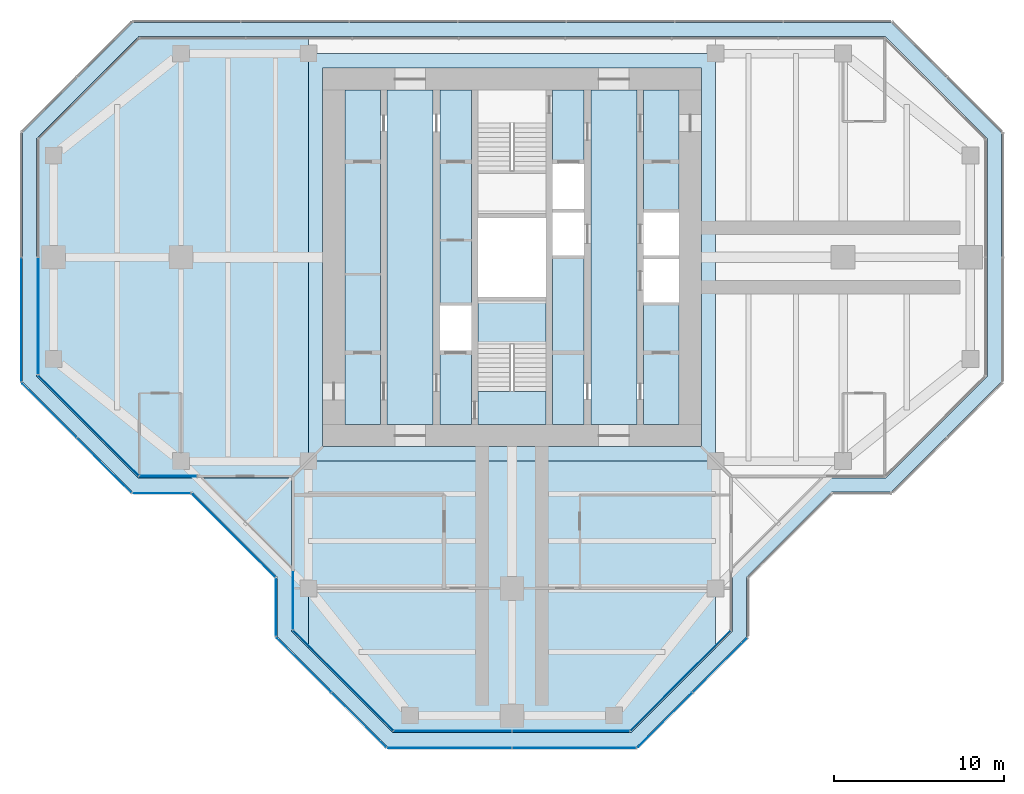
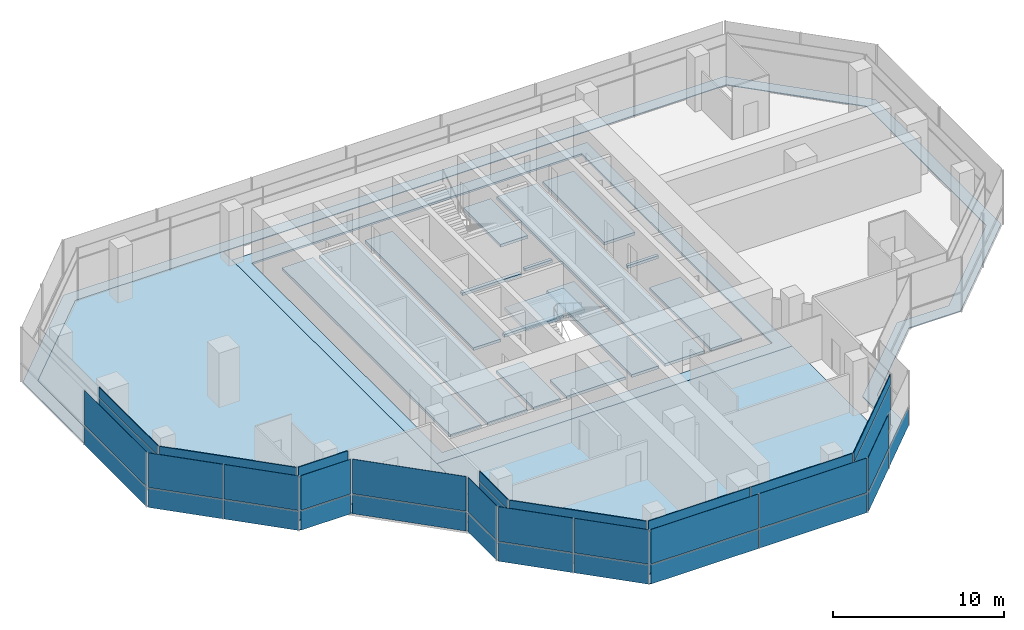
# One storey, part 9 of 15: 40 plates, 7 slabs, 16 elements without a shape of their own.
"""IFC4 building model written with IfcOpenShell, lengths in metres."""

from ifc_helpers import new_model, si_unit, direction, frame, origin, origin_2d, place, context, subcontext, project, spatial, polyline, rectangle, outline, extrude, material, layer, layer_set, type_object, element, aggregate, save


model = new_model("IFC4")

# Units and contexts
model_context = context("Model", 3, precision=1e-05, world=origin(), true_north=direction((0.0, 1.0)))
body_context = subcontext(model_context, "Body", "Model", "MODEL_VIEW")
ifc_project = project(units=[si_unit("LENGTHUNIT", "METRE"), si_unit("AREAUNIT", "SQUARE_METRE"), si_unit("VOLUMEUNIT", "CUBIC_METRE"), si_unit("PLANEANGLEUNIT", "RADIAN"), si_unit("MASSUNIT", "GRAM", prefix="KILO")], contexts=[model_context])

# Site, building, storey
site_placement = place(None, origin())
site = spatial("IfcSite", under=ifc_project, at=site_placement, CompositionType="ELEMENT")
building_placement = place(site_placement, origin())
building = spatial("IfcBuilding", under=site, at=building_placement, Name="Mizan Broadcast Tower", CompositionType="ELEMENT")
storey_placement = place(building_placement, frame((0.0, 0.0, 279.0)))
storey = spatial("IfcBuildingStorey", under=building, at=storey_placement, Name="L66", CompositionType="ELEMENT", Elevation=279.0)

# Plate
ifc_material_1 = material(Name="Aluminium grating", Category="aluminium")
ifc_layer_1 = layer(ifc_material_1, 0.050048828125)
ifc_layer_set_1 = layer_set([ifc_layer_1], Name="Aluminium grating")
plate_type_1 = type_object("IfcPlateType", Name="CAVITY GRATING", PredefinedType="USERDEFINED", material=ifc_layer_set_1)
plate_1_placement = place(storey_placement, frame((0.0, 0.0, -0.050048828125)))
element("IfcPlate", 1, at=plate_1_placement, inside=storey, type_object=plate_type_1, Name="Cavity grating L66", ObjectType="GRATING", PredefinedType="USERDEFINED", context=body_context, shape_type="SweptSolid", body=[
    extrude(outline(polyline([(-22.339599609375, 13.820068359375), (-28.820068359375, 7.339599609375), (-28.820068359375, -7.339599609375), (-22.339599609375, -13.820068359375), (-18.839599609375, -13.820068359375), (-13.820068359375, -18.839599609375), (-13.820068359375, -22.339599609375), (-7.339599609375, -28.820068359375), (7.339599609375, -28.820068359375), (13.820068359375, -22.339599609375), (13.820068359375, -18.839599609375), (18.839599609375, -13.820068359375), (22.339599609375, -13.820068359375), (28.820068359375, -7.339599609375), (28.820068359375, 7.339599609375), (22.339599609375, 13.820068359375), (-22.339599609375, 13.820068359375)]), holes=[polyline([(-18.5, -13.0), (-22.0, -13.0), (-28.0, -7.0), (-28.0, 7.0), (-22.0, 13.0), (22.0, 13.0), (28.0, 7.0), (28.0, -7.0), (22.0, -13.0), (18.5, -13.0), (13.0, -18.5), (13.0, -22.0), (7.0, -28.0), (-7.0, -28.0), (-13.0, -22.0), (-13.0, -18.5), (-18.5, -13.0)])]), origin(), (0.0, 0.0, 1.0), 0.050048828125),
])

# Slabs
ifc_material_2 = material(Name="Concrete C32/40", Category="concrete")
ifc_layer_2 = layer(ifc_material_2, 0.1298828125)
ifc_layer_set_2 = layer_set([ifc_layer_2], Name="Concrete C32/40")
slab_type_1 = type_object("IfcSlabType", Name="COMPOSITE DECK SLAB 130", PredefinedType="FLOOR", material=ifc_layer_set_2)
slab_1_placement = place(storey_placement, frame((0.0, 0.0, -0.1298828125)))
element("IfcSlab", 2, at=slab_1_placement, inside=storey, type_object=slab_type_1, Name="Floor slab L66 centre", PredefinedType="FLOOR", context=body_context, shape_type="SweptSolid", body=[
    extrude(outline(polyline([(-12.0, -12.0), (12.0, -12.0), (12.0, 12.0), (-12.0, 12.0), (-12.0, -12.0)]), holes=[polyline([(-11.14990234375, 11.14990234375), (11.14990234375, 11.14990234375), (11.14990234375, -11.14990234375), (-11.14990234375, -11.14990234375), (-11.14990234375, 11.14990234375)])]), origin(), (0.0, 0.0, 1.0), 0.1298828125),
])
slab_2_placement = place(storey_placement, frame((0.0, 0.0, -0.1298828125)))
element("IfcSlab", 3, at=slab_2_placement, inside=storey, type_object=slab_type_1, Name="Floor slab L66 west arm", PredefinedType="FLOOR", context=body_context, shape_type="SweptSolid", body=[
    extrude(outline(polyline([(-13.0, -22.0), (-12.0, -23.0), (-12.0, 13.0), (-13.0, 13.0), (-22.0, 13.0), (-28.0, 7.0), (-28.0, -7.0), (-22.0, -13.0), (-13.0, -13.0), (-13.0, -22.0)])), origin(), (0.0, 0.0, 1.0), 0.1298828125),
])
slab_3_placement = place(storey_placement, frame((0.0, 0.0, -0.1298828125)))
element("IfcSlab", 4, at=slab_3_placement, inside=storey, type_object=slab_type_1, Name="Floor slab L66 south arm", PredefinedType="FLOOR", context=body_context, shape_type="SweptSolid", body=[
    extrude(outline(polyline([(7.0, -28.0), (12.0, -23.0), (12.0, -12.0), (-12.0, -12.0), (-12.0, -23.0), (-7.0, -28.0), (7.0, -28.0)])), origin(), (0.0, 0.0, 1.0), 0.1298828125),
])
ifc_material_3 = material(Name="Concrete C40/50", Category="concrete")
ifc_layer_3 = layer(ifc_material_3, 0.199951171875)
ifc_layer_set_3 = layer_set([ifc_layer_3], Name="Concrete C40/50")
slab_type_2 = type_object("IfcSlabType", Name="CORE FLOOR 200", PredefinedType="FLOOR", material=ifc_layer_set_3)
slab_4_placement = place(storey_placement, frame((0.0, 0.0, -0.199951171875)))
element("IfcSlab", 5, at=slab_4_placement, inside=storey, type_object=slab_type_2, Name="Core floor L66", PredefinedType="FLOOR", context=body_context, shape_type="SweptSolid", body=[
    extrude(outline(polyline([(-9.85009765625, -9.85009765625), (-7.75, -9.85009765625), (-7.75, 9.85009765625), (-9.85009765625, 9.85009765625), (-9.85009765625, -9.85009765625)])), origin(), (0.0, 0.0, 1.0), 0.199951171875),
    extrude(outline(polyline([(-4.64990234375, 9.85009765625), (-7.35009765625, 9.85009765625), (-7.35009765625, -9.85009765625), (-4.64990234375, -9.85009765625), (-4.64990234375, 9.85009765625)])), origin(), (0.0, 0.0, 1.0), 0.199951171875),
    extrude(outline(polyline([(-4.25, -5.5), (-4.25, -9.85009765625), (-2.39990234375, -9.85009765625), (-2.39990234375, -5.5), (-4.25, -5.5)])), origin(), (0.0, 0.0, 1.0), 0.199951171875),
    extrude(outline(polyline([(-4.25, -2.85009765625), (-2.39990234375, -2.85009765625), (-2.39990234375, 9.85009765625), (-4.25, 9.85009765625), (-4.25, -2.85009765625)])), origin(), (0.0, 0.0, 1.0), 0.199951171875),
    extrude(outline(polyline([(2.0, -2.324951171875), (-2.0, -2.324951171875), (-2.0, -2.574951171875), (2.0, -2.574951171875), (2.0, -2.324951171875)])), origin(), (0.0, 0.0, 1.0), 0.199951171875),
    extrude(outline(polyline([(2.0, 2.574951171875), (-2.0, 2.574951171875), (-2.0, 2.324951171875), (2.0, 2.324951171875), (2.0, 2.574951171875)])), origin(), (0.0, 0.0, 1.0), 0.199951171875),
    extrude(outline(polyline([(4.25, -9.85009765625), (4.25, 0.10009765625), (2.39990234375, 0.10009765625), (2.39990234375, -9.85009765625), (4.25, -9.85009765625)])), origin(), (0.0, 0.0, 1.0), 0.199951171875),
    extrude(outline(polyline([(4.25, 2.64990234375), (4.25, 2.85009765625), (2.39990234375, 2.85009765625), (2.39990234375, 2.64990234375), (4.25, 2.64990234375)])), origin(), (0.0, 0.0, 1.0), 0.199951171875),
    extrude(outline(polyline([(4.25, 5.5), (4.25, 9.85009765625), (2.39990234375, 9.85009765625), (2.39990234375, 5.5), (4.25, 5.5)])), origin(), (0.0, 0.0, 1.0), 0.199951171875),
    extrude(outline(polyline([(4.64990234375, 9.85009765625), (4.64990234375, -9.85009765625), (7.35009765625, -9.85009765625), (7.35009765625, 9.85009765625), (4.64990234375, 9.85009765625)])), origin(), (0.0, 0.0, 1.0), 0.199951171875),
    extrude(outline(polyline([(9.85009765625, -9.85009765625), (9.85009765625, -2.64990234375), (7.75, -2.64990234375), (7.75, -9.85009765625), (9.85009765625, -9.85009765625)])), origin(), (0.0, 0.0, 1.0), 0.199951171875),
    extrude(outline(polyline([(9.85009765625, -0.10009765625), (9.85009765625, 0.10009765625), (7.75, 0.10009765625), (7.75, -0.10009765625), (9.85009765625, -0.10009765625)])), origin(), (0.0, 0.0, 1.0), 0.199951171875),
    extrude(outline(polyline([(7.75, 9.85009765625), (7.75, 2.64990234375), (9.85009765625, 2.64990234375), (9.85009765625, 9.85009765625), (7.75, 9.85009765625)])), origin(), (0.0, 0.0, 1.0), 0.199951171875),
])

# Curtain wall, plate
ifc_material_4 = material(Name="Aluminium framed glazing", Category="aluminium")
curtain_wall_type_1 = type_object("IfcCurtainWallType", Name="INNER SKIN TOP ZONE", PredefinedType="USERDEFINED", material=ifc_material_4)
curtain_wall_1_placement = place(storey_placement, origin())
curtain_wall_1 = element("IfcCurtainWall", 6, at=curtain_wall_1_placement, inside=storey, type_object=curtain_wall_type_1, Name="Inner skin top zone L66 W end", ObjectType="INNER SKIN TOP ZONE", PredefinedType="USERDEFINED")
ifc_material_5 = material(Name="Double glazing, clear low-e", Category="glass")
ifc_layer_4 = layer(ifc_material_5, 0.028076171875)
ifc_layer_set_4 = layer_set([ifc_layer_4], Name="Double glazing, clear low-e")
plate_type_2 = type_object("IfcPlateType", Name="INNER SKIN GLAZING UNIT", PredefinedType="CURTAIN_PANEL", material=ifc_layer_set_4)
plate_2_placement = place(storey_placement, frame((-27.89990234375, -3.46435546875, 0.0), z_axis=(0.0, 0.0, 1.0), x_axis=(0.0, -1.0, 0.0)))
plate_2 = element("IfcPlate", 7, at=plate_2_placement, type_object=plate_type_2, Name="Inner skin top zone L66 W end panel 2.1", PredefinedType="CURTAIN_PANEL", context=body_context, shape_type="SweptSolid", body=[
    extrude(rectangle(XDim=6.86865234375, YDim=0.028076171875, at=origin_2d()), origin(), (0.0, 0.0, 1.0), 3.0),
])

curtain_wall_2_placement = place(storey_placement, origin())
curtain_wall_2 = element("IfcCurtainWall", 8, at=curtain_wall_2_placement, inside=storey, type_object=curtain_wall_type_1, Name="Inner skin top zone L66 W chamfer", ObjectType="INNER SKIN TOP ZONE", PredefinedType="USERDEFINED")
plate_3_placement = place(storey_placement, frame((-24.92919921875, -9.92919921875, 0.0), z_axis=(0.0, 0.0, 1.0), x_axis=(0.707106781187, -0.707106781187, 0.0)))
plate_3 = element("IfcPlate", 9, at=plate_3_placement, type_object=plate_type_2, Name="Inner skin top zone L66 W chamfer panel 1.1", PredefinedType="CURTAIN_PANEL", context=body_context, shape_type="SweptSolid", body=[
    extrude(rectangle(XDim=8.282470703125, YDim=0.028076171875, at=origin_2d()), origin(), (0.0, 0.0, 1.0), 3.0),
])

curtain_wall_3_placement = place(storey_placement, origin())
curtain_wall_3 = element("IfcCurtainWall", 10, at=curtain_wall_3_placement, inside=storey, type_object=curtain_wall_type_1, Name="Inner skin top zone L66 W side", ObjectType="INNER SKIN TOP ZONE", PredefinedType="USERDEFINED")
plate_4_placement = place(storey_placement, frame((-20.229248046875, -12.89990234375, 0.0), z_axis=(0.0, 0.0, 1.0), x_axis=(1.0, 0.0, 0.0)))
plate_4 = element("IfcPlate", 11, at=plate_4_placement, type_object=plate_type_2, Name="Inner skin top zone L66 W side panel 1.1", PredefinedType="CURTAIN_PANEL", context=body_context, shape_type="SweptSolid", body=[
    extrude(rectangle(XDim=3.338623046875, YDim=0.028076171875, at=origin_2d()), origin(), (0.0, 0.0, 1.0), 3.0),
])

curtain_wall_4_placement = place(storey_placement, origin())
curtain_wall_4 = element("IfcCurtainWall", 12, at=curtain_wall_4_placement, inside=storey, type_object=curtain_wall_type_1, Name="Inner skin top zone L66 S side", ObjectType="INNER SKIN TOP ZONE", PredefinedType="USERDEFINED")
plate_5_placement = place(storey_placement, frame((-12.89990234375, -20.229248046875, 0.0), z_axis=(0.0, 0.0, 1.0), x_axis=(0.0, -1.0, 0.0)))
plate_5 = element("IfcPlate", 13, at=plate_5_placement, type_object=plate_type_2, Name="Inner skin top zone L66 S side panel 1.1", PredefinedType="CURTAIN_PANEL", context=body_context, shape_type="SweptSolid", body=[
    extrude(rectangle(XDim=3.338623046875, YDim=0.028076171875, at=origin_2d()), origin(), (0.0, 0.0, 1.0), 3.0),
])

curtain_wall_5_placement = place(storey_placement, origin())
curtain_wall_5 = element("IfcCurtainWall", 14, at=curtain_wall_5_placement, inside=storey, type_object=curtain_wall_type_1, Name="Inner skin top zone L66 S chamfer", ObjectType="INNER SKIN TOP ZONE", PredefinedType="USERDEFINED")
plate_6_placement = place(storey_placement, frame((-9.92919921875, -24.92919921875, 0.0), z_axis=(0.0, 0.0, 1.0), x_axis=(0.707106781187, -0.707106781187, 0.0)))
plate_6 = element("IfcPlate", 15, at=plate_6_placement, type_object=plate_type_2, Name="Inner skin top zone L66 S chamfer panel 1.1", PredefinedType="CURTAIN_PANEL", context=body_context, shape_type="SweptSolid", body=[
    extrude(rectangle(XDim=8.282470703125, YDim=0.028076171875, at=origin_2d()), origin(), (0.0, 0.0, 1.0), 3.0),
])

# Curtain wall, plates
curtain_wall_6_placement = place(storey_placement, origin())
curtain_wall_6 = element("IfcCurtainWall", 16, at=curtain_wall_6_placement, inside=storey, type_object=curtain_wall_type_1, Name="Inner skin top zone L66 S end", ObjectType="INNER SKIN TOP ZONE", PredefinedType="USERDEFINED")
plate_7_placement = place(storey_placement, frame((-3.46435546875, -27.89990234375, 0.0), z_axis=(0.0, 0.0, 1.0), x_axis=(1.0, 0.0, 0.0)))
plate_7 = element("IfcPlate", 17, at=plate_7_placement, type_object=plate_type_2, Name="Inner skin top zone L66 S end panel 1.1", PredefinedType="CURTAIN_PANEL", context=body_context, shape_type="SweptSolid", body=[
    extrude(rectangle(XDim=6.86865234375, YDim=0.028076171875, at=origin_2d()), origin(), (0.0, 0.0, 1.0), 3.0),
])
plate_8_placement = place(storey_placement, frame((3.46435546875, -27.89990234375, 0.0), z_axis=(0.0, 0.0, 1.0), x_axis=(1.0, 0.0, 0.0)))
plate_8 = element("IfcPlate", 18, at=plate_8_placement, type_object=plate_type_2, Name="Inner skin top zone L66 S end panel 2.1", PredefinedType="CURTAIN_PANEL", context=body_context, shape_type="SweptSolid", body=[
    extrude(rectangle(XDim=6.86865234375, YDim=0.028076171875, at=origin_2d()), origin(), (0.0, 0.0, 1.0), 3.0),
])

# Curtain wall, plate
curtain_wall_7_placement = place(storey_placement, origin())
curtain_wall_7 = element("IfcCurtainWall", 19, at=curtain_wall_7_placement, inside=storey, type_object=curtain_wall_type_1, Name="Inner skin top zone L66 S chamfer", ObjectType="INNER SKIN TOP ZONE", PredefinedType="USERDEFINED")
plate_9_placement = place(storey_placement, frame((9.92919921875, -24.92919921875, 0.0), z_axis=(0.0, 0.0, 1.0), x_axis=(0.707106781187, 0.707106781187, 0.0)))
plate_9 = element("IfcPlate", 20, at=plate_9_placement, type_object=plate_type_2, Name="Inner skin top zone L66 S chamfer panel 1.1", PredefinedType="CURTAIN_PANEL", context=body_context, shape_type="SweptSolid", body=[
    extrude(rectangle(XDim=8.282470703125, YDim=0.028076171875, at=origin_2d()), origin(), (0.0, 0.0, 1.0), 3.0),
])

# Plate
ifc_material_6 = material(Name="Insulated aluminium spandrel panel, pale anodised", Category="aluminium")
ifc_layer_5 = layer(ifc_material_6, 0.050048828125)
ifc_layer_set_5 = layer_set([ifc_layer_5], Name="Insulated aluminium spandrel panel, pale anodised")
plate_type_3 = type_object("IfcPlateType", Name="INNER SKIN SPANDREL PANEL", PredefinedType="CURTAIN_PANEL", material=ifc_layer_set_5)
plate_10_placement = place(storey_placement, frame((-27.89990234375, -3.46435546875, 3.06005859375), z_axis=(0.0, 0.0, 1.0), x_axis=(0.0, -1.0, 0.0)))
plate_10 = element("IfcPlate", 21, at=plate_10_placement, type_object=plate_type_3, Name="Inner skin top zone L66 W end panel 2.2", PredefinedType="CURTAIN_PANEL", context=body_context, shape_type="SweptSolid", body=[
    extrude(rectangle(XDim=6.86865234375, YDim=0.050048828125, at=origin_2d()), origin(), (0.0, 0.0, 1.0), 0.7099609375),
])

aggregate(curtain_wall_1, [plate_2, plate_10])

plate_11_placement = place(storey_placement, frame((-24.92919921875, -9.92919921875, 3.06005859375), z_axis=(0.0, 0.0, 1.0), x_axis=(0.707106781187, -0.707106781187, 0.0)))
plate_11 = element("IfcPlate", 22, at=plate_11_placement, type_object=plate_type_3, Name="Inner skin top zone L66 W chamfer panel 1.2", PredefinedType="CURTAIN_PANEL", context=body_context, shape_type="SweptSolid", body=[
    extrude(rectangle(XDim=8.282470703125, YDim=0.050048828125, at=origin_2d()), origin(), (0.0, 0.0, 1.0), 0.7099609375),
])

aggregate(curtain_wall_2, [plate_3, plate_11])

plate_12_placement = place(storey_placement, frame((-20.229248046875, -12.89990234375, 3.06005859375), z_axis=(0.0, 0.0, 1.0), x_axis=(1.0, 0.0, 0.0)))
plate_12 = element("IfcPlate", 23, at=plate_12_placement, type_object=plate_type_3, Name="Inner skin top zone L66 W side panel 1.2", PredefinedType="CURTAIN_PANEL", context=body_context, shape_type="SweptSolid", body=[
    extrude(rectangle(XDim=3.338623046875, YDim=0.050048828125, at=origin_2d()), origin(), (0.0, 0.0, 1.0), 0.7099609375),
])

aggregate(curtain_wall_3, [plate_4, plate_12])

plate_13_placement = place(storey_placement, frame((-12.89990234375, -20.229248046875, 3.06005859375), z_axis=(0.0, 0.0, 1.0), x_axis=(0.0, -1.0, 0.0)))
plate_13 = element("IfcPlate", 24, at=plate_13_placement, type_object=plate_type_3, Name="Inner skin top zone L66 S side panel 1.2", PredefinedType="CURTAIN_PANEL", context=body_context, shape_type="SweptSolid", body=[
    extrude(rectangle(XDim=3.338623046875, YDim=0.050048828125, at=origin_2d()), origin(), (0.0, 0.0, 1.0), 0.7099609375),
])

aggregate(curtain_wall_4, [plate_5, plate_13])

plate_14_placement = place(storey_placement, frame((-9.92919921875, -24.92919921875, 3.06005859375), z_axis=(0.0, 0.0, 1.0), x_axis=(0.707106781187, -0.707106781187, 0.0)))
plate_14 = element("IfcPlate", 25, at=plate_14_placement, type_object=plate_type_3, Name="Inner skin top zone L66 S chamfer panel 1.2", PredefinedType="CURTAIN_PANEL", context=body_context, shape_type="SweptSolid", body=[
    extrude(rectangle(XDim=8.282470703125, YDim=0.050048828125, at=origin_2d()), origin(), (0.0, 0.0, 1.0), 0.7099609375),
])

aggregate(curtain_wall_5, [plate_6, plate_14])

plate_15_placement = place(storey_placement, frame((-3.46435546875, -27.89990234375, 3.06005859375), z_axis=(0.0, 0.0, 1.0), x_axis=(1.0, 0.0, 0.0)))
plate_15 = element("IfcPlate", 26, at=plate_15_placement, type_object=plate_type_3, Name="Inner skin top zone L66 S end panel 1.2", PredefinedType="CURTAIN_PANEL", context=body_context, shape_type="SweptSolid", body=[
    extrude(rectangle(XDim=6.86865234375, YDim=0.050048828125, at=origin_2d()), origin(), (0.0, 0.0, 1.0), 0.7099609375),
])

plate_16_placement = place(storey_placement, frame((3.46435546875, -27.89990234375, 3.06005859375), z_axis=(0.0, 0.0, 1.0), x_axis=(1.0, 0.0, 0.0)))
plate_16 = element("IfcPlate", 27, at=plate_16_placement, type_object=plate_type_3, Name="Inner skin top zone L66 S end panel 2.2", PredefinedType="CURTAIN_PANEL", context=body_context, shape_type="SweptSolid", body=[
    extrude(rectangle(XDim=6.86865234375, YDim=0.050048828125, at=origin_2d()), origin(), (0.0, 0.0, 1.0), 0.7099609375),
])

aggregate(curtain_wall_6, [plate_7, plate_15, plate_8, plate_16])

plate_17_placement = place(storey_placement, frame((9.92919921875, -24.92919921875, 3.06005859375), z_axis=(0.0, 0.0, 1.0), x_axis=(0.707106781187, 0.707106781187, 0.0)))
plate_17 = element("IfcPlate", 28, at=plate_17_placement, type_object=plate_type_3, Name="Inner skin top zone L66 S chamfer panel 1.2", PredefinedType="CURTAIN_PANEL", context=body_context, shape_type="SweptSolid", body=[
    extrude(rectangle(XDim=8.282470703125, YDim=0.050048828125, at=origin_2d()), origin(), (0.0, 0.0, 1.0), 0.7099609375),
])

aggregate(curtain_wall_7, [plate_9, plate_17])

# Curtain wall, plates
ifc_material_7 = material(Name="Aluminium framed glazing", Category="aluminium")
curtain_wall_type_2 = type_object("IfcCurtainWallType", Name="OUTER SKIN", PredefinedType="USERDEFINED", material=ifc_material_7)
curtain_wall_8_placement = place(storey_placement, origin())
curtain_wall_8 = element("IfcCurtainWall", 29, at=curtain_wall_8_placement, inside=storey, type_object=curtain_wall_type_2, Name="Outer skin L66 W chamfer", ObjectType="OUTER SKIN", PredefinedType="USERDEFINED")
ifc_material_8 = material(Name="Laminated clear glass", Category="glass")
ifc_layer_6 = layer(ifc_material_8, 0.02001953125)
ifc_layer_set_6 = layer_set([ifc_layer_6], Name="Laminated clear glass")
plate_type_4 = type_object("IfcPlateType", Name="OUTER SKIN CLEAR GLASS", PredefinedType="CURTAIN_PANEL", material=ifc_layer_set_6)
plate_18_placement = place(storey_placement, frame((-27.254150390625, -9.018798828125, 0.0), z_axis=(0.0, 0.0, 1.0), x_axis=(0.707106781187, -0.707106781187, 0.0)))
plate_18 = element("IfcPlate", 30, at=plate_18_placement, type_object=plate_type_4, Name="Outer skin L66 W chamfer panel 1.1", PredefinedType="CURTAIN_PANEL", context=body_context, shape_type="SweptSolid", body=[
    extrude(rectangle(XDim=4.495361328125, YDim=0.02001953125, at=origin_2d()), origin(), (0.0, 0.0, 1.0), 1.3701171875),
])
plate_19_placement = place(storey_placement, frame((-27.254150390625, -9.018798828125, 1.43017578125), z_axis=(0.0, 0.0, 1.0), x_axis=(0.707106781187, -0.707106781187, 0.0)))
plate_19 = element("IfcPlate", 31, at=plate_19_placement, type_object=plate_type_4, Name="Outer skin L66 W chamfer panel 1.2", PredefinedType="CURTAIN_PANEL", context=body_context, shape_type="SweptSolid", body=[
    extrude(rectangle(XDim=4.495361328125, YDim=0.02001953125, at=origin_2d()), origin(), (0.0, 0.0, 1.0), 2.469970703125),
])

curtain_wall_9_placement = place(storey_placement, origin())
curtain_wall_9 = element("IfcCurtainWall", 32, at=curtain_wall_9_placement, inside=storey, type_object=curtain_wall_type_2, Name="Outer skin L66 W side", ObjectType="OUTER SKIN", PredefinedType="USERDEFINED")
plate_20_placement = place(storey_placement, frame((-20.622802734375, -13.89990234375, 0.0), z_axis=(0.0, 0.0, 1.0), x_axis=(1.0, 0.0, 0.0)))
plate_20 = element("IfcPlate", 33, at=plate_20_placement, type_object=plate_type_4, Name="Outer skin L66 W side panel 1.1", PredefinedType="CURTAIN_PANEL", context=body_context, shape_type="SweptSolid", body=[
    extrude(rectangle(XDim=3.340087890625, YDim=0.02001953125, at=origin_2d()), origin(), (0.0, 0.0, 1.0), 1.3701171875),
])
plate_21_placement = place(storey_placement, frame((-20.622802734375, -13.89990234375, 1.43017578125), z_axis=(0.0, 0.0, 1.0), x_axis=(1.0, 0.0, 0.0)))
plate_21 = element("IfcPlate", 34, at=plate_21_placement, type_object=plate_type_4, Name="Outer skin L66 W side panel 1.2", PredefinedType="CURTAIN_PANEL", context=body_context, shape_type="SweptSolid", body=[
    extrude(rectangle(XDim=3.340087890625, YDim=0.02001953125, at=origin_2d()), origin(), (0.0, 0.0, 1.0), 2.469970703125),
])
aggregate(curtain_wall_9, [plate_20, plate_21])

curtain_wall_10_placement = place(storey_placement, origin())
curtain_wall_10 = element("IfcCurtainWall", 35, at=curtain_wall_10_placement, inside=storey, type_object=curtain_wall_type_2, Name="Outer skin L66 W chamfer", ObjectType="OUTER SKIN", PredefinedType="USERDEFINED")
plate_22_placement = place(storey_placement, frame((-16.386474609375, -16.386474609375, 0.0), z_axis=(0.0, 0.0, 1.0), x_axis=(0.707106781187, -0.707106781187, 0.0)))
plate_22 = element("IfcPlate", 36, at=plate_22_placement, type_object=plate_type_4, Name="Outer skin L66 W chamfer panel 1.1", PredefinedType="CURTAIN_PANEL", context=body_context, shape_type="SweptSolid", body=[
    extrude(rectangle(XDim=6.87255859375, YDim=0.02001953125, at=origin_2d()), origin(), (0.0, 0.0, 1.0), 1.3701171875),
])
plate_23_placement = place(storey_placement, frame((-16.386474609375, -16.386474609375, 1.43017578125), z_axis=(0.0, 0.0, 1.0), x_axis=(0.707106781187, -0.707106781187, 0.0)))
plate_23 = element("IfcPlate", 37, at=plate_23_placement, type_object=plate_type_4, Name="Outer skin L66 W chamfer panel 1.2", PredefinedType="CURTAIN_PANEL", context=body_context, shape_type="SweptSolid", body=[
    extrude(rectangle(XDim=6.87255859375, YDim=0.02001953125, at=origin_2d()), origin(), (0.0, 0.0, 1.0), 2.469970703125),
])
aggregate(curtain_wall_10, [plate_22, plate_23])

curtain_wall_11_placement = place(storey_placement, origin())
curtain_wall_11 = element("IfcCurtainWall", 38, at=curtain_wall_11_placement, inside=storey, type_object=curtain_wall_type_2, Name="Outer skin L66 S side", ObjectType="OUTER SKIN", PredefinedType="USERDEFINED")
plate_24_placement = place(storey_placement, frame((-13.89990234375, -20.622802734375, 0.0), z_axis=(0.0, 0.0, 1.0), x_axis=(0.0, -1.0, 0.0)))
plate_24 = element("IfcPlate", 39, at=plate_24_placement, type_object=plate_type_4, Name="Outer skin L66 S side panel 1.1", PredefinedType="CURTAIN_PANEL", context=body_context, shape_type="SweptSolid", body=[
    extrude(rectangle(XDim=3.340087890625, YDim=0.02001953125, at=origin_2d()), origin(), (0.0, 0.0, 1.0), 1.3701171875),
])
plate_25_placement = place(storey_placement, frame((-13.89990234375, -20.622802734375, 1.43017578125), z_axis=(0.0, 0.0, 1.0), x_axis=(0.0, -1.0, 0.0)))
plate_25 = element("IfcPlate", 40, at=plate_25_placement, type_object=plate_type_4, Name="Outer skin L66 S side panel 1.2", PredefinedType="CURTAIN_PANEL", context=body_context, shape_type="SweptSolid", body=[
    extrude(rectangle(XDim=3.340087890625, YDim=0.02001953125, at=origin_2d()), origin(), (0.0, 0.0, 1.0), 2.469970703125),
])
aggregate(curtain_wall_11, [plate_24, plate_25])

curtain_wall_12_placement = place(storey_placement, origin())
curtain_wall_12 = element("IfcCurtainWall", 41, at=curtain_wall_12_placement, inside=storey, type_object=curtain_wall_type_2, Name="Outer skin L66 S chamfer", ObjectType="OUTER SKIN", PredefinedType="USERDEFINED")
plate_26_placement = place(storey_placement, frame((-12.254150390625, -24.018798828125, 0.0), z_axis=(0.0, 0.0, 1.0), x_axis=(0.707106781187, -0.707106781187, 0.0)))
plate_26 = element("IfcPlate", 42, at=plate_26_placement, type_object=plate_type_4, Name="Outer skin L66 S chamfer panel 1.1", PredefinedType="CURTAIN_PANEL", context=body_context, shape_type="SweptSolid", body=[
    extrude(rectangle(XDim=4.495361328125, YDim=0.02001953125, at=origin_2d()), origin(), (0.0, 0.0, 1.0), 1.3701171875),
])
plate_27_placement = place(storey_placement, frame((-12.254150390625, -24.018798828125, 1.43017578125), z_axis=(0.0, 0.0, 1.0), x_axis=(0.707106781187, -0.707106781187, 0.0)))
plate_27 = element("IfcPlate", 43, at=plate_27_placement, type_object=plate_type_4, Name="Outer skin L66 S chamfer panel 1.2", PredefinedType="CURTAIN_PANEL", context=body_context, shape_type="SweptSolid", body=[
    extrude(rectangle(XDim=4.495361328125, YDim=0.02001953125, at=origin_2d()), origin(), (0.0, 0.0, 1.0), 2.469970703125),
])

curtain_wall_13_placement = place(storey_placement, origin())
curtain_wall_13 = element("IfcCurtainWall", 44, at=curtain_wall_13_placement, inside=storey, type_object=curtain_wall_type_2, Name="Outer skin L66 S end", ObjectType="OUTER SKIN", PredefinedType="USERDEFINED")
plate_28_placement = place(storey_placement, frame((-3.66650390625, -28.89990234375, 0.0), z_axis=(0.0, 0.0, 1.0), x_axis=(1.0, 0.0, 0.0)))
plate_28 = element("IfcPlate", 45, at=plate_28_placement, type_object=plate_type_4, Name="Outer skin L66 S end panel 1.1", PredefinedType="CURTAIN_PANEL", context=body_context, shape_type="SweptSolid", body=[
    extrude(rectangle(XDim=7.252685546875, YDim=0.02001953125, at=origin_2d()), origin(), (0.0, 0.0, 1.0), 1.3701171875),
])
plate_29_placement = place(storey_placement, frame((-3.66650390625, -28.89990234375, 1.43017578125), z_axis=(0.0, 0.0, 1.0), x_axis=(1.0, 0.0, 0.0)))
plate_29 = element("IfcPlate", 46, at=plate_29_placement, type_object=plate_type_4, Name="Outer skin L66 S end panel 1.2", PredefinedType="CURTAIN_PANEL", context=body_context, shape_type="SweptSolid", body=[
    extrude(rectangle(XDim=7.252685546875, YDim=0.02001953125, at=origin_2d()), origin(), (0.0, 0.0, 1.0), 2.469970703125),
])

curtain_wall_14_placement = place(storey_placement, origin())
curtain_wall_14 = element("IfcCurtainWall", 47, at=curtain_wall_14_placement, inside=storey, type_object=curtain_wall_type_2, Name="Outer skin L66 S chamfer", ObjectType="OUTER SKIN", PredefinedType="USERDEFINED")
plate_30_placement = place(storey_placement, frame((9.018798828125, -27.254150390625, 0.0), z_axis=(0.0, 0.0, 1.0), x_axis=(0.707106781187, 0.707106781187, 0.0)))
plate_30 = element("IfcPlate", 48, at=plate_30_placement, type_object=plate_type_4, Name="Outer skin L66 S chamfer panel 1.1", PredefinedType="CURTAIN_PANEL", context=body_context, shape_type="SweptSolid", body=[
    extrude(rectangle(XDim=4.495361328125, YDim=0.02001953125, at=origin_2d()), origin(), (0.0, 0.0, 1.0), 1.3701171875),
])
plate_31_placement = place(storey_placement, frame((9.018798828125, -27.254150390625, 1.43017578125), z_axis=(0.0, 0.0, 1.0), x_axis=(0.707106781187, 0.707106781187, 0.0)))
plate_31 = element("IfcPlate", 49, at=plate_31_placement, type_object=plate_type_4, Name="Outer skin L66 S chamfer panel 1.2", PredefinedType="CURTAIN_PANEL", context=body_context, shape_type="SweptSolid", body=[
    extrude(rectangle(XDim=4.495361328125, YDim=0.02001953125, at=origin_2d()), origin(), (0.0, 0.0, 1.0), 2.469970703125),
])

# Plate
ifc_material_9 = material(Name="Perforated aluminium, pale anodised", Category="aluminium")
ifc_layer_7 = layer(ifc_material_9, 0.011962890625)
ifc_layer_set_7 = layer_set([ifc_layer_7], Name="Perforated aluminium, pale anodised")
plate_type_5 = type_object("IfcPlateType", Name="OUTER SKIN PERFORATED SCREEN", PredefinedType="USERDEFINED", material=ifc_layer_set_7)
plate_32_placement = place(storey_placement, frame((-24.018798828125, -12.254150390625, 0.0), z_axis=(0.0, 0.0, 1.0), x_axis=(0.707106781187, -0.707106781187, 0.0)))
plate_32 = element("IfcPlate", 50, at=plate_32_placement, type_object=plate_type_5, Name="Outer skin L66 W chamfer panel 2.1", ObjectType="SCREEN", PredefinedType="USERDEFINED", context=body_context, shape_type="SweptSolid", body=[
    extrude(rectangle(XDim=4.495361328125, YDim=0.011962890625, at=origin_2d()), origin(), (0.0, 0.0, 1.0), 1.3701171875),
])

plate_33_placement = place(storey_placement, frame((-24.018798828125, -12.254150390625, 1.43017578125), z_axis=(0.0, 0.0, 1.0), x_axis=(0.707106781187, -0.707106781187, 0.0)))
plate_33 = element("IfcPlate", 51, at=plate_33_placement, type_object=plate_type_5, Name="Outer skin L66 W chamfer panel 2.2", ObjectType="SCREEN", PredefinedType="USERDEFINED", context=body_context, shape_type="SweptSolid", body=[
    extrude(rectangle(XDim=4.495361328125, YDim=0.011962890625, at=origin_2d()), origin(), (0.0, 0.0, 1.0), 2.469970703125),
])

aggregate(curtain_wall_8, [plate_18, plate_19, plate_32, plate_33])

plate_34_placement = place(storey_placement, frame((-9.018798828125, -27.254150390625, 0.0), z_axis=(0.0, 0.0, 1.0), x_axis=(0.707106781187, -0.707106781187, 0.0)))
plate_34 = element("IfcPlate", 52, at=plate_34_placement, type_object=plate_type_5, Name="Outer skin L66 S chamfer panel 2.1", ObjectType="SCREEN", PredefinedType="USERDEFINED", context=body_context, shape_type="SweptSolid", body=[
    extrude(rectangle(XDim=4.495361328125, YDim=0.011962890625, at=origin_2d()), origin(), (0.0, 0.0, 1.0), 1.3701171875),
])

plate_35_placement = place(storey_placement, frame((-9.018798828125, -27.254150390625, 1.43017578125), z_axis=(0.0, 0.0, 1.0), x_axis=(0.707106781187, -0.707106781187, 0.0)))
plate_35 = element("IfcPlate", 53, at=plate_35_placement, type_object=plate_type_5, Name="Outer skin L66 S chamfer panel 2.2", ObjectType="SCREEN", PredefinedType="USERDEFINED", context=body_context, shape_type="SweptSolid", body=[
    extrude(rectangle(XDim=4.495361328125, YDim=0.011962890625, at=origin_2d()), origin(), (0.0, 0.0, 1.0), 2.469970703125),
])

aggregate(curtain_wall_12, [plate_26, plate_27, plate_34, plate_35])

plate_36_placement = place(storey_placement, frame((3.66650390625, -28.89990234375, 0.0), z_axis=(0.0, 0.0, 1.0), x_axis=(1.0, 0.0, 0.0)))
plate_36 = element("IfcPlate", 54, at=plate_36_placement, type_object=plate_type_5, Name="Outer skin L66 S end panel 2.1", ObjectType="SCREEN", PredefinedType="USERDEFINED", context=body_context, shape_type="SweptSolid", body=[
    extrude(rectangle(XDim=7.252685546875, YDim=0.011962890625, at=origin_2d()), origin(), (0.0, 0.0, 1.0), 1.3701171875),
])

plate_37_placement = place(storey_placement, frame((3.66650390625, -28.89990234375, 1.43017578125), z_axis=(0.0, 0.0, 1.0), x_axis=(1.0, 0.0, 0.0)))
plate_37 = element("IfcPlate", 55, at=plate_37_placement, type_object=plate_type_5, Name="Outer skin L66 S end panel 2.2", ObjectType="SCREEN", PredefinedType="USERDEFINED", context=body_context, shape_type="SweptSolid", body=[
    extrude(rectangle(XDim=7.252685546875, YDim=0.011962890625, at=origin_2d()), origin(), (0.0, 0.0, 1.0), 2.469970703125),
])

aggregate(curtain_wall_13, [plate_28, plate_29, plate_36, plate_37])

plate_38_placement = place(storey_placement, frame((12.254150390625, -24.018798828125, 0.0), z_axis=(0.0, 0.0, 1.0), x_axis=(0.707106781187, 0.707106781187, 0.0)))
plate_38 = element("IfcPlate", 56, at=plate_38_placement, type_object=plate_type_5, Name="Outer skin L66 S chamfer panel 2.1", ObjectType="SCREEN", PredefinedType="USERDEFINED", context=body_context, shape_type="SweptSolid", body=[
    extrude(rectangle(XDim=4.495361328125, YDim=0.011962890625, at=origin_2d()), origin(), (0.0, 0.0, 1.0), 1.3701171875),
])

aggregate(curtain_wall_14, [plate_30, plate_31, plate_38])

# Curtain wall, plates
curtain_wall_15_placement = place(storey_placement, origin())
curtain_wall_15 = element("IfcCurtainWall", 57, at=curtain_wall_15_placement, inside=storey, type_object=curtain_wall_type_2, Name="Outer skin L66 W end", ObjectType="OUTER SKIN", PredefinedType="USERDEFINED")
plate_39_placement = place(storey_placement, frame((-28.89990234375, -3.66650390625, 0.0), z_axis=(0.0, 0.0, 1.0), x_axis=(0.0, -1.0, 0.0)))
plate_39 = element("IfcPlate", 58, at=plate_39_placement, type_object=plate_type_5, Name="Outer skin L66 W end panel 2.1", ObjectType="SCREEN", PredefinedType="USERDEFINED", context=body_context, shape_type="SweptSolid", body=[
    extrude(rectangle(XDim=7.252685546875, YDim=0.011962890625, at=origin_2d()), origin(), (0.0, 0.0, 1.0), 1.3701171875),
])
plate_40_placement = place(storey_placement, frame((-28.89990234375, -3.66650390625, 1.43017578125), z_axis=(0.0, 0.0, 1.0), x_axis=(0.0, -1.0, 0.0)))
plate_40 = element("IfcPlate", 59, at=plate_40_placement, type_object=plate_type_5, Name="Outer skin L66 W end panel 2.2", ObjectType="SCREEN", PredefinedType="USERDEFINED", context=body_context, shape_type="SweptSolid", body=[
    extrude(rectangle(XDim=7.252685546875, YDim=0.011962890625, at=origin_2d()), origin(), (0.0, 0.0, 1.0), 2.469970703125),
])
aggregate(curtain_wall_15, [plate_39, plate_40])

# Stair, slabs
ifc_material_10 = material(Name="Concrete C40/50", Category="concrete")
stair_type = type_object("IfcStairType", Name="EXIT STAIR", PredefinedType="HALF_TURN_STAIR", material=ifc_material_10)
stair_placement = place(storey_placement, origin())
stair = element("IfcStair", 60, at=stair_placement, inside=storey, type_object=stair_type, Name="Stair A L66", PredefinedType="HALF_TURN_STAIR")
ifc_material_11 = material(Name="Concrete C40/50", Category="concrete")
ifc_layer_8 = layer(ifc_material_11, 0.199951171875)
ifc_layer_set_8 = layer_set([ifc_layer_8], Name="Concrete C40/50")
slab_type_3 = type_object("IfcSlabType", Name="STAIR LANDING 200", PredefinedType="LANDING", material=ifc_layer_set_8)
slab_5_placement = place(storey_placement, frame((0.0, 0.0, -0.199951171875)))
slab_5 = element("IfcSlab", 61, at=slab_5_placement, type_object=slab_type_3, Name="A landing 1", PredefinedType="LANDING", context=body_context, shape_type="SweptSolid", body=[
    extrude(outline(polyline([(-2.0, -9.85009765625), (-2.0, -7.89990234375), (2.0, -7.89990234375), (2.0, -9.85009765625), (-2.0, -9.85009765625)])), origin(), (0.0, 0.0, 1.0), 0.199951171875),
])
slab_6_placement = place(storey_placement, frame((0.0, 0.0, 1.75)))
slab_6 = element("IfcSlab", 62, at=slab_6_placement, type_object=slab_type_3, Name="A landing 2", PredefinedType="LANDING", context=body_context, shape_type="SweptSolid", body=[
    extrude(outline(polyline([(-2.0, -5.10009765625), (-2.0, -2.574951171875), (2.0, -2.574951171875), (2.0, -5.10009765625), (-2.0, -5.10009765625)])), origin(), (0.0, 0.0, 1.0), 0.199951171875),
])
aggregate(stair, [slab_5, slab_6])

# Slab
ifc_material_12 = material(Name="Concrete C32/40", Category="concrete")
ifc_layer_9 = layer(ifc_material_12, 0.1298828125)
ifc_layer_set_9 = layer_set([ifc_layer_9], Name="Concrete C32/40")
slab_type_4 = type_object("IfcSlabType", Name="WINTER GARDEN SLAB 130", PredefinedType="FLOOR", material=ifc_layer_set_9)
slab_7_placement = place(storey_placement, frame((0.0, 0.0, -0.1298828125)))
element("IfcSlab", 63, at=slab_7_placement, inside=storey, type_object=slab_type_4, Name="Winter garden slab L66 W", PredefinedType="FLOOR", context=body_context, shape_type="SweptSolid", body=[
    extrude(outline(polyline([(-13.0, -13.0), (-18.5, -13.0), (-13.0, -18.5), (-13.0, -13.0)])), origin(), (0.0, 0.0, 1.0), 0.1298828125),
])

save(model, "model.ifc")
